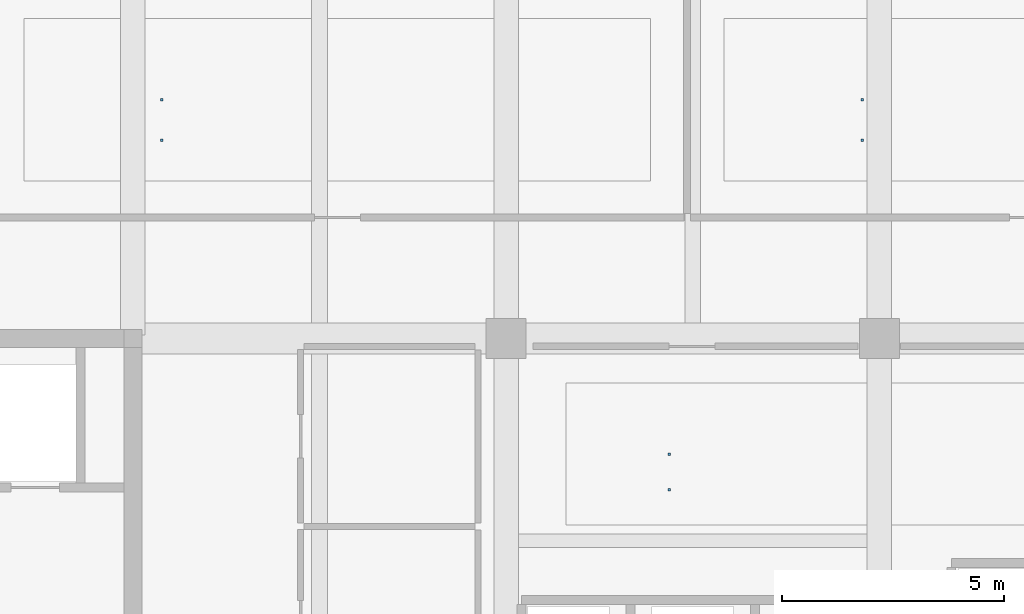
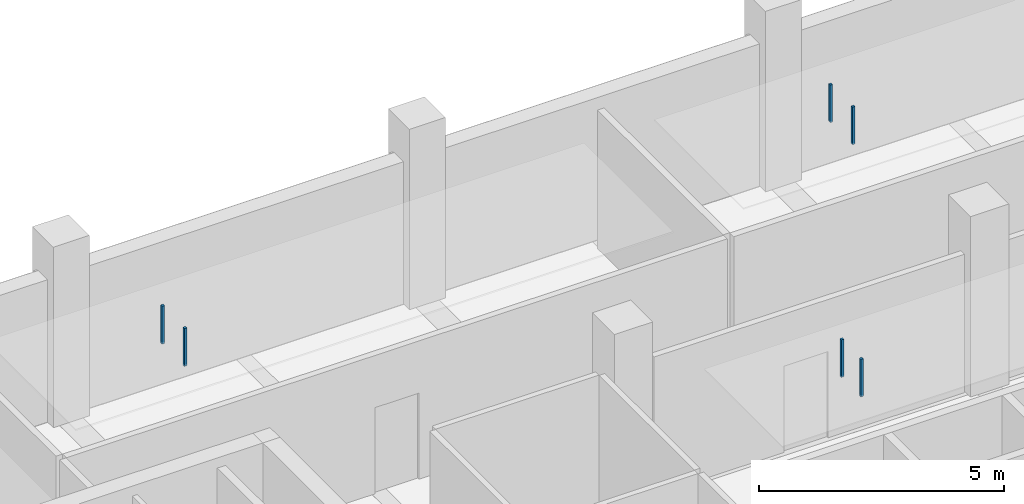
# One storey, part 20 of 39: 6 discrete accessories.
"""IFC4 building model written with IfcOpenShell, lengths in metres."""

from ifc_helpers import new_model, si_unit, direction, frame, origin, origin_2d, place, context, subcontext, project, spatial, rectangle, extrude, material, type_object, element, save


model = new_model("IFC4")

# Units and contexts
model_context = context("Model", 3, precision=1e-05, world=origin(), true_north=direction((0.0, 1.0)))
body_context = subcontext(model_context, "Body", "Model", "MODEL_VIEW")
ifc_project = project(units=[si_unit("LENGTHUNIT", "METRE"), si_unit("AREAUNIT", "SQUARE_METRE"), si_unit("VOLUMEUNIT", "CUBIC_METRE"), si_unit("PLANEANGLEUNIT", "RADIAN"), si_unit("MASSUNIT", "GRAM", prefix="KILO")], contexts=[model_context])

# Site, building, storey
site_placement = place(None, origin())
site = spatial("IfcSite", under=ifc_project, at=site_placement, CompositionType="ELEMENT")
building_placement = place(site_placement, origin())
building = spatial("IfcBuilding", under=site, at=building_placement, Name="Telukmera Botanical Conservatory", CompositionType="ELEMENT")
storey_placement = place(building_placement, frame((0.0, 0.0, 19.5)))
storey = spatial("IfcBuildingStorey", under=building, at=storey_placement, Name="L04", CompositionType="ELEMENT", Elevation=19.5)

# Discrete accessories
ifc_material = material(Name="Steel S355", Category="steel")
discrete_accessory_type = type_object("IfcDiscreteAccessoryType", Name="ACC-CEIL-HGR", PredefinedType="BRACKET", material=ifc_material)
for number, where, z_axis, x_axis, name in (
    (1, (79.27099609375, 31.0, 3.320068359375), (0.0, 0.0, 1.0), (1.0, 0.0, 0.0), "L04 Suspended Ceiling Hanger Rod 011-1"),
    (2, (79.27099609375, 31.800048828125, 3.320068359375), (0.0, 0.0, 1.0), (1.0, 0.0, 0.0), "L04 Suspended Ceiling Hanger Rod 011-2"),
):
    element("IfcDiscreteAccessory", number, at=place(storey_placement, frame(where, z_axis=z_axis, x_axis=x_axis)), inside=storey, type_object=discrete_accessory_type, Name=name, PredefinedType="BRACKET", context=body_context, shape_type="SweptSolid", body=[
        extrude(rectangle(XDim=0.06005859375, YDim=0.06005859375, at=origin_2d()), origin(), (0.0, 0.0, 1.0), 0.93505859375),
    ])
for number, where, z_axis, x_axis, name in (
    (3, (67.85205078125, 38.862548828125, 3.31005859375), (0.0, 0.0, 1.0), (1.0, 0.0, 0.0), "L04 Suspended Ceiling Hanger Rod 036-1"),
    (4, (67.85205078125, 39.77490234375, 3.31005859375), (0.0, 0.0, 1.0), (1.0, 0.0, 0.0), "L04 Suspended Ceiling Hanger Rod 036-2"),
):
    element("IfcDiscreteAccessory", number, at=place(storey_placement, frame(where, z_axis=z_axis, x_axis=x_axis)), inside=storey, type_object=discrete_accessory_type, Name=name, PredefinedType="BRACKET", context=body_context, shape_type="SweptSolid", body=[
        extrude(rectangle(XDim=0.06005859375, YDim=0.06005859375, at=origin_2d()), origin(), (0.0, 0.0, 1.0), 0.945068359375),
    ])
for number, where, z_axis, x_axis, name in (
    (5, (83.613037109375, 38.862548828125, 3.320068359375), (0.0, 0.0, 1.0), (1.0, 0.0, 0.0), "L04 Suspended Ceiling Hanger Rod 037-1"),
    (6, (83.613037109375, 39.77490234375, 3.320068359375), (0.0, 0.0, 1.0), (1.0, 0.0, 0.0), "L04 Suspended Ceiling Hanger Rod 037-2"),
):
    element("IfcDiscreteAccessory", number, at=place(storey_placement, frame(where, z_axis=z_axis, x_axis=x_axis)), inside=storey, type_object=discrete_accessory_type, Name=name, PredefinedType="BRACKET", context=body_context, shape_type="SweptSolid", body=[
        extrude(rectangle(XDim=0.06005859375, YDim=0.06005859375, at=origin_2d()), origin(), (0.0, 0.0, 1.0), 0.93505859375),
    ])

save(model, "model.ifc")
